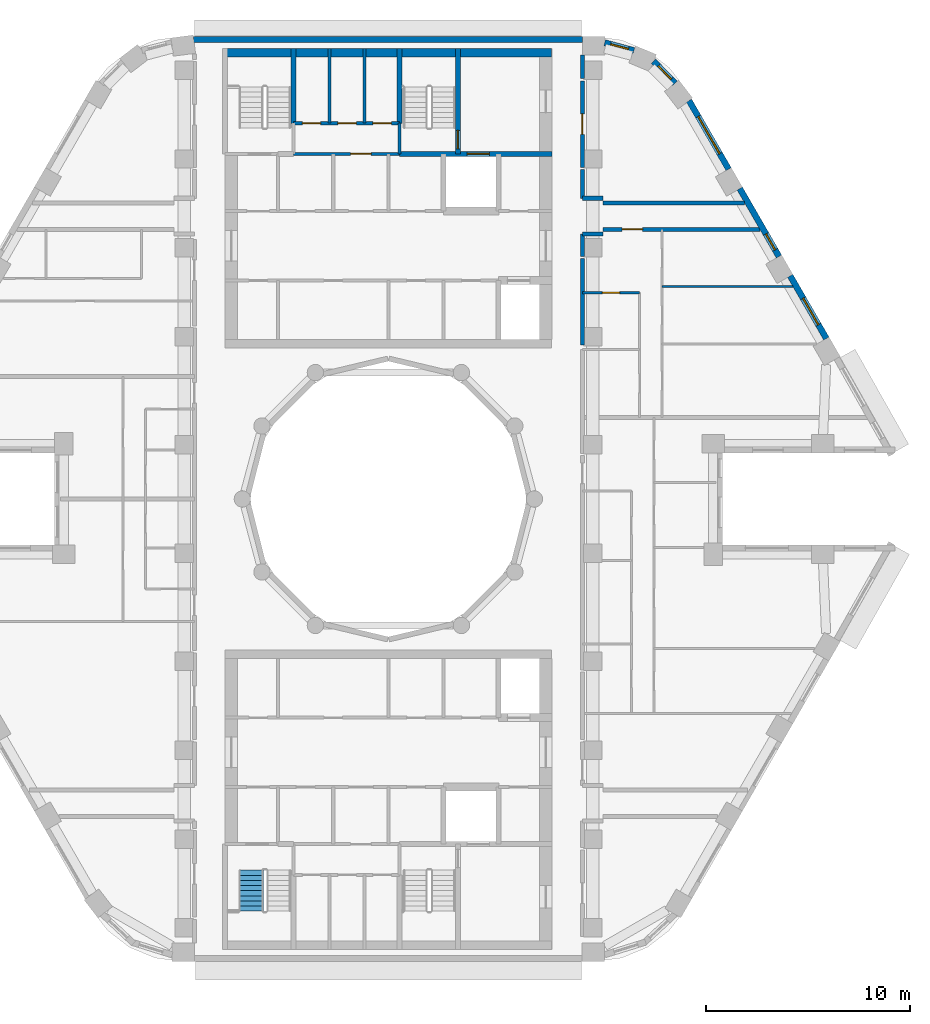
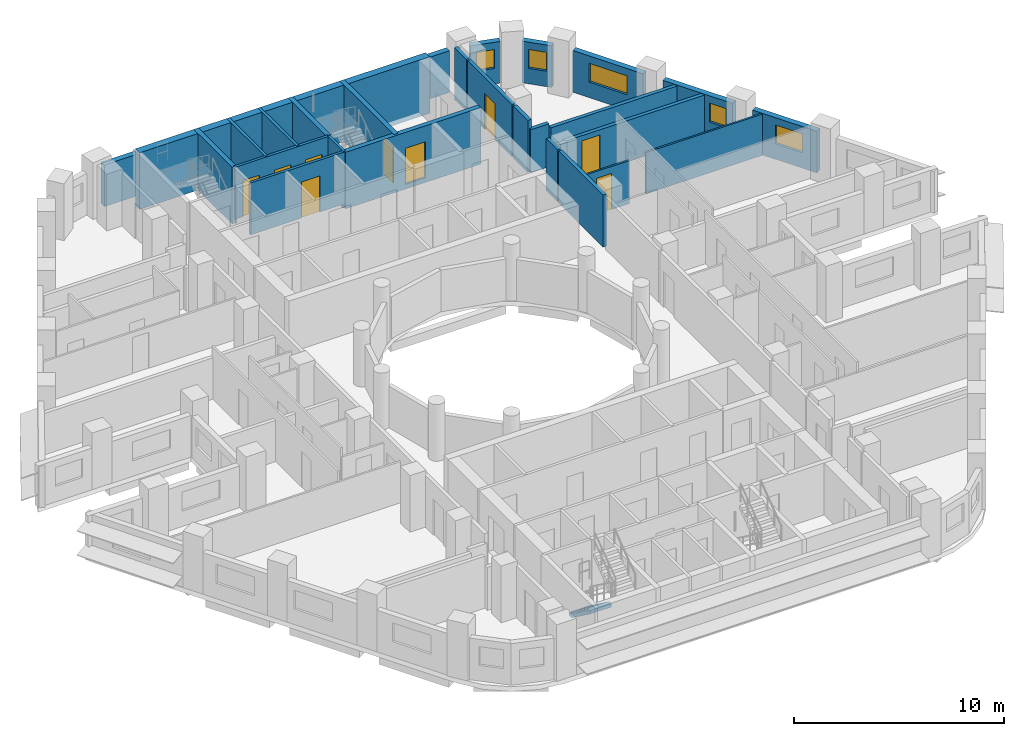
# One storey, part 8 of 12: 27 walls, 9 doors, 5 windows, 1 stair flight, 14 openings, 1 element without a shape of its own.
"""IFC4 building model written with IfcOpenShell, lengths in metres."""

from ifc_helpers import new_model, si_unit, direction, frame, frame_2d, origin, place, context, subcontext, project, spatial, polyline, rectangle, outline, extrude, material, layer, layer_set, type_object, element, fill, aggregate, save


model = new_model("IFC4")

# Units and contexts
model_context = context("Model", 3, precision=1e-05, world=origin(), true_north=direction((0.0, 1.0)))
body_context = subcontext(model_context, "Body", "Model", "MODEL_VIEW")
ifc_project = project(units=[si_unit("LENGTHUNIT", "METRE"), si_unit("AREAUNIT", "SQUARE_METRE"), si_unit("VOLUMEUNIT", "CUBIC_METRE"), si_unit("PLANEANGLEUNIT", "RADIAN"), si_unit("MASSUNIT", "GRAM", prefix="KILO")], contexts=[model_context])

# Site, building, storey
site_placement = place(None, origin())
site = spatial("IfcSite", under=ifc_project, at=site_placement, CompositionType="ELEMENT")
building_placement = place(site_placement, origin())
building = spatial("IfcBuilding", under=site, at=building_placement, Name="Nakaniwa Court", CompositionType="ELEMENT")
storey_placement = place(building_placement, frame((0.0, 0.0, 255.89990234375)))
storey = spatial("IfcBuildingStorey", under=building, at=storey_placement, Name="L67", CompositionType="ELEMENT", Elevation=255.89990234375)

# Walls
ifc_material_1 = material(Name="Acoustic double stud partition")
ifc_layer_1 = layer(ifc_material_1, 0.199951171875)
ifc_layer_set_1 = layer_set([ifc_layer_1], Name="Acoustic double stud partition")
wall_type_1 = type_object("IfcWallType", Name="Acoustic double stud partition 200", PredefinedType="PARTITIONING", material=ifc_layer_set_1)
wall_1_placement = place(storey_placement, frame((89.5, 87.537109375, 0.0), z_axis=(0.0, 0.0, 1.0), x_axis=(0.0, 1.0, 0.0)))
element("IfcWall", 1, at=wall_1_placement, inside=storey, type_object=wall_type_1, Name="Partition PW-065", PredefinedType="PARTITIONING", context=body_context, shape_type="SweptSolid", body=[
    extrude(rectangle(XDim=4.23583984375, YDim=0.199951171875, at=frame_2d((2.117919921875, 0.0))), origin(), (0.0, 0.0, 1.0), 3.025146484375),
])
wall_2_placement = place(storey_placement, frame((89.5, 91.886962890625, 0.0), z_axis=(0.0, 0.0, 1.0), x_axis=(0.0, 1.0, 0.0)))
element("IfcWall", 2, at=wall_2_placement, inside=storey, type_object=wall_type_1, Name="Partition PW-066", PredefinedType="PARTITIONING", context=body_context, shape_type="SweptSolid", body=[
    extrude(rectangle(XDim=1.091064453125, YDim=0.199951171875, at=frame_2d((0.54541015625, 0.0))), origin(), (0.0, 0.0, 1.0), 3.025146484375),
])
wall_3_placement = place(storey_placement, frame((89.5, 94.721923828125, 0.0), z_axis=(0.0, 0.0, 1.0), x_axis=(0.0, 1.0, 0.0)))
element("IfcWall", 3, at=wall_3_placement, inside=storey, type_object=wall_type_1, Name="Partition PW-067", PredefinedType="PARTITIONING", context=body_context, shape_type="SweptSolid", body=[
    extrude(rectangle(XDim=1.401123046875, YDim=0.199951171875, at=frame_2d((0.70068359375, 0.0))), origin(), (0.0, 0.0, 1.0), 3.025146484375),
])

# Wall, opening, door
wall_4_placement = place(storey_placement, frame((89.5, 100.472900390625, 0.0), z_axis=(0.0, 0.0, 1.0), x_axis=(0.0, -1.0, 0.0)))
wall_4 = element("IfcWall", 4, at=wall_4_placement, inside=storey, type_object=wall_type_1, Name="Partition PW-068", PredefinedType="PARTITIONING", context=body_context, shape_type="SweptSolid", body=[
    extrude(rectangle(XDim=4.23583984375, YDim=0.199951171875, at=frame_2d((2.117919921875, 0.0))), origin(), (0.0, 0.0, 1.0), 3.025146484375),
])
opening_1_placement = place(wall_4_placement, frame((1.617919921875, 0.0, 0.0)))
opening_1 = element("IfcOpeningElement", 5, at=opening_1_placement, cuts=wall_4, Name="Opening D-02-04", PredefinedType="OPENING", context=body_context, shape_type="SweptSolid", body=[
    extrude(rectangle(XDim=1.0, YDim=2.10009765625, at=frame_2d((0.5, 1.050048828125))), frame((0.0, 0.10986328125, 0.0), z_axis=(0.0, -1.0, 0.0), x_axis=(1.0, 0.0, 0.0)), (0.0, 0.0, 1.0), 0.219970703125),
])
ifc_material_2 = material(Name="Solid core timber door set, black veneer", Category="wood")
door_type_1 = type_object("IfcDoorType", Name="Internal door 1000", OperationType="NOTDEFINED", PredefinedType="DOOR", material=ifc_material_2)
door_1_placement = place(opening_1_placement, origin())
door_1 = element("IfcDoor", 6, at=door_1_placement, inside=storey, type_object=door_type_1, Name="Door D-02-04 L67-060", OperationType="SINGLE_SWING_LEFT", OverallHeight=2.10009765625, OverallWidth=1.0, PredefinedType="DOOR", context=body_context, shape_type="SweptSolid", body=[
    extrude(rectangle(XDim=1.0, YDim=2.10009765625, at=frame_2d((0.5, 1.050048828125))), frame((0.0, 0.02490234375, 0.0), z_axis=(0.0, -1.0, 0.0), x_axis=(1.0, 0.0, 0.0)), (0.0, 0.0, 1.0), 0.050048828125),
])
fill(opening_1, door_1)

# Wall
wall_5_placement = place(storey_placement, frame((89.5, 100.5869140625, 0.0), z_axis=(0.0, 0.0, 1.0), x_axis=(0.0, 1.0, 0.0)))
element("IfcWall", 7, at=wall_5_placement, inside=storey, type_object=wall_type_1, Name="Partition PW-069", PredefinedType="PARTITIONING", context=body_context, shape_type="SweptSolid", body=[
    extrude(rectangle(XDim=1.14599609375, YDim=0.199951171875, at=frame_2d((0.572998046875, 0.0))), origin(), (0.0, 0.0, 1.0), 3.025146484375),
])

# Wall, opening, door
wall_6_placement = place(storey_placement, frame((98.1865234375, 93.199951171875, 0.0), z_axis=(0.0, 0.0, 1.0), x_axis=(-1.0, 0.0, 0.0)))
wall_6 = element("IfcWall", 8, at=wall_6_placement, inside=storey, type_object=wall_type_1, Name="Partition PW-071", PredefinedType="PARTITIONING", context=body_context, shape_type="SweptSolid", body=[
    extrude(rectangle(XDim=7.6865234375, YDim=0.199951171875, at=frame_2d((3.84326171875, 0.0))), origin(), (0.0, 0.0, 1.0), 2.405029296875),
])
opening_2_placement = place(wall_6_placement, frame((5.737060546875, 0.0, 0.0)))
opening_2 = element("IfcOpeningElement", 9, at=opening_2_placement, cuts=wall_6, Name="Opening D-01-02", PredefinedType="OPENING", context=body_context, shape_type="SweptSolid", body=[
    extrude(rectangle(XDim=1.0, YDim=2.10009765625, at=frame_2d((0.5, 1.050048828125))), frame((0.0, 0.10986328125, 0.0), z_axis=(0.0, -1.0, 0.0), x_axis=(1.0, 0.0, 0.0)), (0.0, 0.0, 1.0), 0.219970703125),
])
door_type_2 = type_object("IfcDoorType", Name="Flat entrance door 1000", OperationType="NOTDEFINED", PredefinedType="DOOR", material=ifc_material_2)
door_2_placement = place(opening_2_placement, origin())
door_2 = element("IfcDoor", 10, at=door_2_placement, inside=storey, type_object=door_type_2, Name="Door D-01-02 L67-040", OperationType="SINGLE_SWING_LEFT", OverallHeight=2.10009765625, OverallWidth=1.0, PredefinedType="DOOR", context=body_context, shape_type="SweptSolid", body=[
    extrude(rectangle(XDim=1.0, YDim=2.10009765625, at=frame_2d((0.5, 1.050048828125))), frame((0.0, 0.02490234375, 0.0), z_axis=(0.0, -1.0, 0.0), x_axis=(1.0, 0.0, 0.0)), (0.0, 0.0, 1.0), 0.050048828125),
])
fill(opening_2, door_2)

# Walls
for number, where, z_axis, x_axis, name in (
    (11, (89.5, 92.97509765625, 0.0), (0.0, 0.0, 1.0), (1.0, 0.0, 0.0), "Partition PW-073"),
    (12, (89.5, 94.72509765625, 0.0), (0.0, 0.0, 1.0), (1.0, 0.0, 0.0), "Partition PW-075"),
):
    element("IfcWall", number, at=place(storey_placement, frame(where, z_axis=z_axis, x_axis=x_axis)), inside=storey, type_object=wall_type_1, Name=name, PredefinedType="PARTITIONING", context=body_context, shape_type="SweptSolid", body=[
        extrude(rectangle(XDim=1.0, YDim=0.199951171875, at=frame_2d((0.5, 0.0))), origin(), (0.0, 0.0, 1.0), 2.505126953125),
    ])
wall_7_placement = place(storey_placement, frame((90.5, 94.5, 0.0), z_axis=(0.0, 0.0, 1.0), x_axis=(1.0, 0.0, 0.0)))
element("IfcWall", 13, at=wall_7_placement, inside=storey, type_object=wall_type_1, Name="Partition PW-077", PredefinedType="PARTITIONING", context=body_context, shape_type="SweptSolid", body=[
    extrude(rectangle(XDim=6.93603515625, YDim=0.199951171875, at=frame_2d((3.468017578125, 0.0))), origin(), (0.0, 0.0, 1.0), 2.405029296875),
])

# Wall, opening, window
ifc_material_3 = material(Name="Charcoal ceramic cladding")
ifc_layer_2 = layer(ifc_material_3, 0.02, Name="Ceramic cladding")
ifc_material_4 = material(Name="Ventilated air cavity")
ifc_layer_3 = layer(ifc_material_4, 0.04, ventilated=True, Name="Ventilated cavity")
ifc_material_5 = material(Name="Mineral wool insulation")
ifc_layer_4 = layer(ifc_material_5, 0.1, Name="Insulation")
ifc_material_6 = material(Name="Cement bonded sheathing board")
ifc_layer_5 = layer(ifc_material_6, 0.012, Name="Sheathing")
ifc_material_7 = material(Name="Cold-formed galvanised stud frame with mineral wool infill")
ifc_layer_6 = layer(ifc_material_7, 0.1, Name="Stud frame")
ifc_material_8 = material(Name="Fire-rated gypsum plasterboard lining")
ifc_layer_7 = layer(ifc_material_8, 0.028, Name="Lining")
ifc_layer_set_2 = layer_set([ifc_layer_2, ifc_layer_3, ifc_layer_4, ifc_layer_5, ifc_layer_6, ifc_layer_7], Name="Charcoal ceramic faced external wall system")
wall_type_2 = type_object("IfcWallType", Name="Black ceramic faced external wall 300", PredefinedType="SOLIDWALL", material=ifc_layer_set_2)
wall_8_placement = place(storey_placement, frame((101.44580078125, 87.85498046875, 0.0), z_axis=(0.0, 0.0, 1.0), x_axis=(-0.500010404316, 0.866019396766, 0.0)))
wall_8 = element("IfcWall", 14, at=wall_8_placement, inside=storey, type_object=wall_type_2, Name="L67 external wall 03", PredefinedType="SOLIDWALL", context=body_context, shape_type="SweptSolid", body=[
    extrude(rectangle(XDim=3.54736328125, YDim=0.300048828125, at=frame_2d((1.773681640625, 0.0))), origin(), (0.0, 0.0, 1.0), 2.425048828125),
])
opening_3_placement = place(wall_8_placement, frame((0.780517578125, 0.0, 0.89990234375)))
opening_3 = element("IfcOpeningElement", 15, at=opening_3_placement, cuts=wall_8, Name="Opening W5.05", PredefinedType="OPENING", context=body_context, shape_type="SweptSolid", body=[
    extrude(rectangle(XDim=1.5, YDim=1.10009765625, at=frame_2d((0.75, 0.550048828125))), frame((0.0, 0.159912109375, 0.0), z_axis=(0.0, -1.0, 0.0), x_axis=(1.0, 0.0, 0.0)), (0.0, 0.0, 1.0), 0.320068359375),
])
ifc_material_9 = material(Name="Black anodised aluminium frame with dark low-E laminated double glazing", Category="aluminium")
window_type_1 = type_object("IfcWindowType", Name="Dark glass window 1500x1100 sill 900", PartitioningType="SINGLE_PANEL", PredefinedType="WINDOW", material=ifc_material_9)
window_1_placement = place(opening_3_placement, origin())
window_1 = element("IfcWindow", 16, at=window_1_placement, inside=storey, type_object=window_type_1, Name="L67 bedroom window 03-0", OverallHeight=1.10009765625, OverallWidth=1.5, PartitioningType="SINGLE_PANEL", PredefinedType="WINDOW", context=body_context, shape_type="SweptSolid", body=[
    extrude(rectangle(XDim=1.5, YDim=1.10009765625, at=frame_2d((0.75, 0.550048828125))), frame((0.0, 0.030029296875, 0.0), z_axis=(0.0, -1.0, 0.0), x_axis=(1.0, 0.0, 0.0)), (0.0, 0.0, 1.0), 0.06005859375),
])
fill(opening_3, window_1)

wall_9_placement = place(storey_placement, frame((99.126220703125, 91.87255859375, 0.0), z_axis=(0.0, 0.0, 1.0), x_axis=(-0.499984490703, 0.866034357896, 0.0)))
wall_9 = element("IfcWall", 17, at=wall_9_placement, inside=storey, type_object=wall_type_2, Name="L67 external wall 04", PredefinedType="SOLIDWALL", context=body_context, shape_type="SweptSolid", body=[
    extrude(rectangle(XDim=3.84423828125, YDim=0.300048828125, at=frame_2d((1.922119140625, 0.0))), origin(), (0.0, 0.0, 1.0), 2.425048828125),
])
opening_4_placement = place(wall_9_placement, frame((0.37744140625, 0.0, 0.89990234375)))
opening_4 = element("IfcOpeningElement", 18, at=opening_4_placement, cuts=wall_9, Name="Opening W9.06", PredefinedType="OPENING", context=body_context, shape_type="SweptSolid", body=[
    extrude(rectangle(XDim=0.89990234375, YDim=1.10009765625, at=frame_2d((0.449951171875, 0.550048828125))), frame((0.0, 0.159912109375, 0.0), z_axis=(0.0, -1.0, 0.0), x_axis=(1.0, 0.0, 0.0)), (0.0, 0.0, 1.0), 0.320068359375),
])
window_type_2 = type_object("IfcWindowType", Name="Dark glass window 900x1100 sill 900", PartitioningType="SINGLE_PANEL", PredefinedType="WINDOW", material=ifc_material_9)
window_2_placement = place(opening_4_placement, origin())
window_2 = element("IfcWindow", 19, at=window_2_placement, inside=storey, type_object=window_type_2, Name="L67 bedroom window 04-0", OverallHeight=1.10009765625, OverallWidth=0.89990234375, PartitioningType="SINGLE_PANEL", PredefinedType="WINDOW", context=body_context, shape_type="SweptSolid", body=[
    extrude(rectangle(XDim=0.89990234375, YDim=1.10009765625, at=frame_2d((0.449951171875, 0.550048828125))), frame((0.0, 0.030029296875, 0.0), z_axis=(0.0, -1.0, 0.0), x_axis=(1.0, 0.0, 0.0)), (0.0, 0.0, 1.0), 0.06005859375),
])
fill(opening_4, window_2)

wall_10_placement = place(storey_placement, frame((96.657958984375, 96.1474609375, 0.0), z_axis=(0.0, 0.0, 1.0), x_axis=(-0.500011218404, 0.866018926739, 0.0)))
wall_10 = element("IfcWall", 20, at=wall_10_placement, inside=storey, type_object=wall_type_2, Name="L67 external wall 05", PredefinedType="SOLIDWALL", context=body_context, shape_type="SweptSolid", body=[
    extrude(rectangle(XDim=3.87890625, YDim=0.300048828125, at=frame_2d((1.939453125, 0.0))), origin(), (0.0, 0.0, 1.0), 2.425048828125),
])
opening_5_placement = place(wall_10_placement, frame((0.878173828125, 0.0, 0.89990234375)))
opening_5 = element("IfcOpeningElement", 21, at=opening_5_placement, cuts=wall_10, Name="Opening W7.07", PredefinedType="OPENING", context=body_context, shape_type="SweptSolid", body=[
    extrude(rectangle(XDim=2.10009765625, YDim=1.10009765625, at=frame_2d((1.050048828125, 0.550048828125))), frame((0.0, 0.159912109375, 0.0), z_axis=(0.0, -1.0, 0.0), x_axis=(1.0, 0.0, 0.0)), (0.0, 0.0, 1.0), 0.320068359375),
])
window_type_3 = type_object("IfcWindowType", Name="Dark glass window 2100x1100 sill 900", PartitioningType="SINGLE_PANEL", PredefinedType="WINDOW", material=ifc_material_9)
window_3_placement = place(opening_5_placement, origin())
window_3 = element("IfcWindow", 22, at=window_3_placement, inside=storey, type_object=window_type_3, Name="L67 habitable room window 05-0", OverallHeight=1.10009765625, OverallWidth=2.10009765625, PartitioningType="SINGLE_PANEL", PredefinedType="WINDOW", context=body_context, shape_type="SweptSolid", body=[
    extrude(rectangle(XDim=2.10009765625, YDim=1.10009765625, at=frame_2d((1.050048828125, 0.550048828125))), frame((0.0, 0.030029296875, 0.0), z_axis=(0.0, -1.0, 0.0), x_axis=(1.0, 0.0, 0.0)), (0.0, 0.0, 1.0), 0.06005859375),
])
fill(opening_5, window_3)

wall_11_placement = place(storey_placement, frame((94.0341796875, 100.3583984375, 0.0), z_axis=(0.0, 0.0, 1.0), x_axis=(-0.698675602211, 0.71543860874, 0.0)))
wall_11 = element("IfcWall", 23, at=wall_11_placement, inside=storey, type_object=wall_type_2, Name="L67 external wall 06", PredefinedType="SOLIDWALL", context=body_context, shape_type="SweptSolid", body=[
    extrude(rectangle(XDim=1.5, YDim=0.300048828125, at=frame_2d((0.75, 0.0))), origin(), (0.0, 0.0, 1.0), 2.425048828125),
])
opening_6_placement = place(wall_11_placement, frame((0.27587890625, 0.0, 0.89990234375)))
opening_6 = element("IfcOpeningElement", 24, at=opening_6_placement, cuts=wall_11, Name="Opening W9.08", PredefinedType="OPENING", context=body_context, shape_type="SweptSolid", body=[
    extrude(rectangle(XDim=0.89990234375, YDim=1.10009765625, at=frame_2d((0.449951171875, 0.550048828125))), frame((0.0, 0.159912109375, 0.0), z_axis=(0.0, -1.0, 0.0), x_axis=(1.0, 0.0, 0.0)), (0.0, 0.0, 1.0), 0.320068359375),
])
window_4_placement = place(opening_6_placement, origin())
window_4 = element("IfcWindow", 25, at=window_4_placement, inside=storey, type_object=window_type_2, Name="L67 habitable room window 06-0", OverallHeight=1.10009765625, OverallWidth=0.89990234375, PartitioningType="SINGLE_PANEL", PredefinedType="WINDOW", context=body_context, shape_type="SweptSolid", body=[
    extrude(rectangle(XDim=0.89990234375, YDim=1.10009765625, at=frame_2d((0.449951171875, 0.550048828125))), frame((0.0, 0.030029296875, 0.0), z_axis=(0.0, -1.0, 0.0), x_axis=(1.0, 0.0, 0.0)), (0.0, 0.0, 1.0), 0.06005859375),
])
fill(opening_6, window_4)

wall_12_placement = place(storey_placement, frame((92.02099609375, 101.956298828125, 0.0), z_axis=(0.0, 0.0, 1.0), x_axis=(-0.965392564919, 0.260801065181, 0.0)))
wall_12 = element("IfcWall", 26, at=wall_12_placement, inside=storey, type_object=wall_type_2, Name="L67 external wall 07", PredefinedType="SOLIDWALL", context=body_context, shape_type="SweptSolid", body=[
    extrude(rectangle(XDim=1.48095703125, YDim=0.300048828125, at=frame_2d((0.740478515625, 0.0))), origin(), (0.0, 0.0, 1.0), 2.425048828125),
])
opening_7_placement = place(wall_12_placement, frame((0.280029296875, 0.0, 0.89990234375)))
opening_7 = element("IfcOpeningElement", 27, at=opening_7_placement, cuts=wall_12, Name="Opening W9.09", PredefinedType="OPENING", context=body_context, shape_type="SweptSolid", body=[
    extrude(rectangle(XDim=0.89990234375, YDim=1.10009765625, at=frame_2d((0.449951171875, 0.550048828125))), frame((0.0, 0.159912109375, 0.0), z_axis=(0.0, -1.0, 0.0), x_axis=(1.0, 0.0, 0.0)), (0.0, 0.0, 1.0), 0.320068359375),
])
window_5_placement = place(opening_7_placement, origin())
window_5 = element("IfcWindow", 28, at=window_5_placement, inside=storey, type_object=window_type_2, Name="L67 habitable room window 07-0", OverallHeight=1.10009765625, OverallWidth=0.89990234375, PartitioningType="SINGLE_PANEL", PredefinedType="WINDOW", context=body_context, shape_type="SweptSolid", body=[
    extrude(rectangle(XDim=0.89990234375, YDim=1.10009765625, at=frame_2d((0.449951171875, 0.550048828125))), frame((0.0, 0.030029296875, 0.0), z_axis=(0.0, -1.0, 0.0), x_axis=(1.0, 0.0, 0.0)), (0.0, 0.0, 1.0), 0.06005859375),
])
fill(opening_7, window_5)

# Wall
wall_13_placement = place(storey_placement, frame((89.499267578125, 102.5, 0.0), z_axis=(0.0, 0.0, 1.0), x_axis=(-1.0, 0.0, 0.0)))
element("IfcWall", 29, at=wall_13_placement, inside=storey, type_object=wall_type_2, Name="L67 external wall 08", PredefinedType="SOLIDWALL", context=body_context, shape_type="SweptSolid", body=[
    extrude(rectangle(XDim=19.033447265625, YDim=0.300048828125, at=frame_2d((9.5166015625, 0.0))), origin(), (0.0, 0.0, 1.0), 2.425048828125),
])

# Wall, opening, door
ifc_material_10 = material(Name="Blockwork partition", Category="masonry")
ifc_layer_8 = layer(ifc_material_10, 0.14990234375)
ifc_layer_set_3 = layer_set([ifc_layer_8], Name="Blockwork partition")
wall_type_3 = type_object("IfcWallType", Name="Blockwork partition 150", PredefinedType="PARTITIONING", material=ifc_layer_set_3)
wall_14_placement = place(storey_placement, frame((75.346923828125, 96.89990234375, 0.0), z_axis=(0.0, 0.0, 1.0), x_axis=(1.0, 0.0, 0.0)))
wall_14 = element("IfcWall", 30, at=wall_14_placement, inside=storey, type_object=wall_type_3, Name="Partition PW-019", PredefinedType="PARTITIONING", context=body_context, shape_type="SweptSolid", body=[
    extrude(rectangle(XDim=5.2060546875, YDim=0.14990234375, at=frame_2d((2.60302734375, 0.0))), origin(), (0.0, 0.0, 1.0), 3.025146484375),
])
opening_8_placement = place(wall_14_placement, frame((2.802978515625, 0.0, 0.0)))
opening_8 = element("IfcOpeningElement", 31, at=opening_8_placement, cuts=wall_14, Name="Opening D-23-01", PredefinedType="OPENING", context=body_context, shape_type="SweptSolid", body=[
    extrude(rectangle(XDim=1.0, YDim=2.10009765625, at=frame_2d((0.5, 1.050048828125))), frame((0.0, 0.0849609375, 0.0), z_axis=(0.0, -1.0, 0.0), x_axis=(1.0, 0.0, 0.0)), (0.0, 0.0, 1.0), 0.169921875),
])
ifc_material_11 = material(Name="Fire rated steel door set", Category="steel")
door_type_3 = type_object("IfcDoorType", Name="Service room door 1000", OperationType="NOTDEFINED", PredefinedType="DOOR", material=ifc_material_11)
door_3_placement = place(opening_8_placement, origin())
door_3 = element("IfcDoor", 32, at=door_3_placement, inside=storey, type_object=door_type_3, Name="Door D-23-01 L67-010", OperationType="SINGLE_SWING_LEFT", OverallHeight=2.10009765625, OverallWidth=1.0, PredefinedType="DOOR", context=body_context, shape_type="SweptSolid", body=[
    extrude(rectangle(XDim=1.0, YDim=2.10009765625, at=frame_2d((0.5, 1.050048828125))), frame((0.0, 0.02490234375, 0.0), z_axis=(0.0, -1.0, 0.0), x_axis=(1.0, 0.0, 0.0)), (0.0, 0.0, 1.0), 0.050048828125),
])
fill(opening_8, door_3)

# Wall, openings, doors
wall_15_placement = place(storey_placement, frame((75.35009765625, 98.39990234375, 0.0), z_axis=(0.0, 0.0, 1.0), x_axis=(1.0, 0.0, 0.0)))
wall_15 = element("IfcWall", 33, at=wall_15_placement, inside=storey, type_object=wall_type_3, Name="Partition PW-027", PredefinedType="PARTITIONING", context=body_context, shape_type="SweptSolid", body=[
    extrude(rectangle(XDim=5.199951171875, YDim=0.14990234375, at=frame_2d((2.60009765625, 0.0))), origin(), (0.0, 0.0, 1.0), 3.025146484375),
])
opening_9_placement = place(wall_15_placement, frame((0.43408203125, 0.0, 0.0)))
opening_9 = element("IfcOpeningElement", 34, at=opening_9_placement, cuts=wall_15, Name="Opening D-05-08", PredefinedType="OPENING", context=body_context, shape_type="SweptSolid", body=[
    extrude(rectangle(XDim=0.89990234375, YDim=2.10009765625, at=frame_2d((0.449951171875, 1.050048828125))), frame((0.0, 0.0849609375, 0.0), z_axis=(0.0, -1.0, 0.0), x_axis=(1.0, 0.0, 0.0)), (0.0, 0.0, 1.0), 0.169921875),
])
opening_10_placement = place(wall_15_placement, frame((2.176025390625, 0.0, 0.0)))
opening_10 = element("IfcOpeningElement", 35, at=opening_10_placement, cuts=wall_15, Name="Opening D-05-09", PredefinedType="OPENING", context=body_context, shape_type="SweptSolid", body=[
    extrude(rectangle(XDim=0.89990234375, YDim=2.10009765625, at=frame_2d((0.449951171875, 1.050048828125))), frame((0.0, 0.0849609375, 0.0), z_axis=(0.0, -1.0, 0.0), x_axis=(1.0, 0.0, 0.0)), (0.0, 0.0, 1.0), 0.169921875),
])
opening_11_placement = place(wall_15_placement, frame((3.89208984375, 0.0, 0.0)))
opening_11 = element("IfcOpeningElement", 36, at=opening_11_placement, cuts=wall_15, Name="Opening D-05-10", PredefinedType="OPENING", context=body_context, shape_type="SweptSolid", body=[
    extrude(rectangle(XDim=0.89990234375, YDim=2.10009765625, at=frame_2d((0.449951171875, 1.050048828125))), frame((0.0, 0.0849609375, 0.0), z_axis=(0.0, -1.0, 0.0), x_axis=(1.0, 0.0, 0.0)), (0.0, 0.0, 1.0), 0.169921875),
])
door_type_4 = type_object("IfcDoorType", Name="Service room door 900", OperationType="NOTDEFINED", PredefinedType="DOOR", material=ifc_material_11)
door_4_placement = place(opening_9_placement, origin())
door_4 = element("IfcDoor", 37, at=door_4_placement, inside=storey, type_object=door_type_4, Name="Door D-05-08 L67-011", OperationType="SINGLE_SWING_RIGHT", OverallHeight=2.10009765625, OverallWidth=0.89990234375, PredefinedType="DOOR", context=body_context, shape_type="SweptSolid", body=[
    extrude(rectangle(XDim=0.89990234375, YDim=2.10009765625, at=frame_2d((0.449951171875, 1.050048828125))), frame((0.0, 0.02490234375, 0.0), z_axis=(0.0, -1.0, 0.0), x_axis=(1.0, 0.0, 0.0)), (0.0, 0.0, 1.0), 0.050048828125),
])
fill(opening_9, door_4)
door_5_placement = place(opening_10_placement, origin())
door_5 = element("IfcDoor", 38, at=door_5_placement, inside=storey, type_object=door_type_4, Name="Door D-05-09 L67-012", OperationType="SINGLE_SWING_LEFT", OverallHeight=2.10009765625, OverallWidth=0.89990234375, PredefinedType="DOOR", context=body_context, shape_type="SweptSolid", body=[
    extrude(rectangle(XDim=0.89990234375, YDim=2.10009765625, at=frame_2d((0.449951171875, 1.050048828125))), frame((0.0, 0.02490234375, 0.0), z_axis=(0.0, -1.0, 0.0), x_axis=(1.0, 0.0, 0.0)), (0.0, 0.0, 1.0), 0.050048828125),
])
fill(opening_10, door_5)
door_6_placement = place(opening_11_placement, origin())
door_6 = element("IfcDoor", 39, at=door_6_placement, inside=storey, type_object=door_type_4, Name="Door D-05-10 L67-013", OperationType="SINGLE_SWING_RIGHT", OverallHeight=2.10009765625, OverallWidth=0.89990234375, PredefinedType="DOOR", context=body_context, shape_type="SweptSolid", body=[
    extrude(rectangle(XDim=0.89990234375, YDim=2.10009765625, at=frame_2d((0.449951171875, 1.050048828125))), frame((0.0, 0.02490234375, 0.0), z_axis=(0.0, -1.0, 0.0), x_axis=(1.0, 0.0, 0.0)), (0.0, 0.0, 1.0), 0.050048828125),
])
fill(opening_11, door_6)

# Walls
for number, where, z_axis, x_axis, name in (
    (40, (77.117919921875, 98.39990234375, 0.0), (0.0, 0.0, 1.0), (0.0, 1.0, 0.0), "Partition PW-028"),
    (41, (78.833984375, 98.39990234375, 0.0), (0.0, 0.0, 1.0), (0.0, 1.0, 0.0), "Partition PW-029"),
):
    element("IfcWall", number, at=place(storey_placement, frame(where, z_axis=z_axis, x_axis=x_axis)), inside=storey, type_object=wall_type_3, Name=name, PredefinedType="PARTITIONING", context=body_context, shape_type="SweptSolid", body=[
        extrude(rectangle(XDim=3.650146484375, YDim=0.14990234375, at=frame_2d((1.8251953125, 0.0))), origin(), (0.0, 0.0, 1.0), 3.025146484375),
    ])
ifc_material_12 = material(Name="Concrete C80/100", Category="concrete")
ifc_layer_9 = layer(ifc_material_12, 0.14990234375)
ifc_layer_set_4 = layer_set([ifc_layer_9], Name="Concrete C80/100")
wall_type_4 = type_object("IfcWallType", Name="Concrete core wall 150 C80", PredefinedType="SHEAR", material=ifc_layer_set_4)
wall_16_placement = place(storey_placement, frame((80.550048828125, 96.89990234375, -0.27490234375), z_axis=(0.0, 0.0, 1.0), x_axis=(0.0, 1.0, 0.0)))
element("IfcWall", 42, at=wall_16_placement, inside=storey, type_object=wall_type_4, Name="Core wall SW-25", PredefinedType="SHEAR", context=body_context, shape_type="SweptSolid", body=[
    extrude(rectangle(XDim=1.503173828125, YDim=0.14990234375, at=frame_2d((0.75146484375, 0.0))), origin(), (0.0, 0.0, 1.0), 3.300048828125),
])
ifc_layer_10 = layer(ifc_material_12, 0.39990234375)
ifc_layer_set_5 = layer_set([ifc_layer_10], Name="Concrete C80/100")
wall_type_5 = type_object("IfcWallType", Name="Concrete core wall 400 C80", PredefinedType="SHEAR", material=ifc_layer_set_5)
wall_17_placement = place(storey_placement, frame((72.00390625, 101.85009765625, -0.27490234375), z_axis=(0.0, 0.0, 1.0), x_axis=(1.0, 0.0, 0.0)))
element("IfcWall", 43, at=wall_17_placement, inside=storey, type_object=wall_type_5, Name="Core wall SW-126", PredefinedType="SHEAR", context=body_context, shape_type="SweptSolid", body=[
    extrude(rectangle(XDim=15.9921875, YDim=0.39990234375, at=frame_2d((7.99609375, 0.0))), origin(), (0.0, 0.0, 1.0), 3.300048828125),
])

# Wall, opening, door
ifc_layer_11 = layer(ifc_material_12, 0.25)
ifc_layer_set_6 = layer_set([ifc_layer_11], Name="Concrete C80/100")
wall_type_6 = type_object("IfcWallType", Name="Concrete shaft wall 250 C80", PredefinedType="SHEAR", material=ifc_layer_set_6)
wall_18_placement = place(storey_placement, frame((80.547119140625, 96.89990234375, -0.27490234375), z_axis=(0.0, 0.0, 1.0), x_axis=(1.0, 0.0, 0.0)))
wall_18 = element("IfcWall", 44, at=wall_18_placement, inside=storey, type_object=wall_type_6, Name="Core wall SW-18", PredefinedType="SHEAR", context=body_context, shape_type="SweptSolid", body=[
    extrude(rectangle(XDim=7.452880859375, YDim=0.25, at=frame_2d((3.7265625, 0.0))), origin(), (0.0, 0.0, 1.0), 3.300048828125),
])
opening_12_placement = place(wall_18_placement, frame((3.302001953125, 0.0, 0.27490234375)))
opening_12 = element("IfcOpeningElement", 45, at=opening_12_placement, cuts=wall_18, Name="Opening LD02", PredefinedType="OPENING", context=body_context, shape_type="SweptSolid", body=[
    extrude(rectangle(XDim=1.10009765625, YDim=2.10009765625, at=frame_2d((0.550048828125, 1.050048828125))), frame((0.0, 0.135009765625, 0.0), z_axis=(0.0, -1.0, 0.0), x_axis=(1.0, 0.0, 0.0)), (0.0, 0.0, 1.0), 0.27001953125),
])
ifc_material_13 = material(Name="Stainless steel sliding lift landing door", Category="steel")
door_type_5 = type_object("IfcDoorType", Name="Lift landing door 1100", OperationType="NOTDEFINED", PredefinedType="DOOR", material=ifc_material_13)
door_7_placement = place(opening_12_placement, origin())
door_7 = element("IfcDoor", 46, at=door_7_placement, inside=storey, type_object=door_type_5, Name="Lift landing door LD02 L67-002", OperationType="SLIDING_TO_LEFT", OverallHeight=2.10009765625, OverallWidth=1.10009765625, PredefinedType="DOOR", context=body_context, shape_type="SweptSolid", body=[
    extrude(rectangle(XDim=1.10009765625, YDim=2.10009765625, at=frame_2d((0.550048828125, 1.050048828125))), frame((0.0, 0.02490234375, 0.0), z_axis=(0.0, -1.0, 0.0), x_axis=(1.0, 0.0, 0.0)), (0.0, 0.0, 1.0), 0.050048828125),
])
fill(opening_12, door_7)

# Wall
wall_19_placement = place(storey_placement, frame((75.35009765625, 98.39697265625, -0.27490234375), z_axis=(0.0, 0.0, 1.0), x_axis=(0.0, 1.0, 0.0)))
element("IfcWall", 47, at=wall_19_placement, inside=storey, type_object=wall_type_6, Name="Core wall SW-22", PredefinedType="SHEAR", context=body_context, shape_type="SweptSolid", body=[
    extrude(rectangle(XDim=3.653076171875, YDim=0.25, at=frame_2d((1.82666015625, 0.0))), origin(), (0.0, 0.0, 1.0), 3.300048828125),
])

# Wall, opening, door
wall_20_placement = place(storey_placement, frame((83.39990234375, 102.050048828125, -0.27490234375), z_axis=(0.0, 0.0, 1.0), x_axis=(0.0, -1.0, 0.0)))
wall_20 = element("IfcWall", 48, at=wall_20_placement, inside=storey, type_object=wall_type_6, Name="Core wall SW-24", PredefinedType="SHEAR", context=body_context, shape_type="SweptSolid", body=[
    extrude(rectangle(XDim=5.150146484375, YDim=0.25, at=frame_2d((2.5751953125, 0.0))), origin(), (0.0, 0.0, 1.0), 3.300048828125),
])
opening_13_placement = place(wall_20_placement, frame((4.0, 0.0, 0.27490234375)))
opening_13 = element("IfcOpeningElement", 49, at=opening_13_placement, cuts=wall_20, Name="Opening D-11-01", PredefinedType="OPENING", context=body_context, shape_type="SweptSolid", body=[
    extrude(rectangle(XDim=0.89990234375, YDim=2.10009765625, at=frame_2d((0.449951171875, 1.050048828125))), frame((0.0, 0.135009765625, 0.0), z_axis=(0.0, -1.0, 0.0), x_axis=(1.0, 0.0, 0.0)), (0.0, 0.0, 1.0), 0.27001953125),
])
door_type_6 = type_object("IfcDoorType", Name="Stair door 900", OperationType="NOTDEFINED", PredefinedType="DOOR", material=ifc_material_11)
door_8_placement = place(opening_13_placement, origin())
door_8 = element("IfcDoor", 50, at=door_8_placement, inside=storey, type_object=door_type_6, Name="Door D-11-01 L67-015", OperationType="SINGLE_SWING_LEFT", OverallHeight=2.10009765625, OverallWidth=0.89990234375, PredefinedType="DOOR", context=body_context, shape_type="SweptSolid", body=[
    extrude(rectangle(XDim=0.89990234375, YDim=2.10009765625, at=frame_2d((0.449951171875, 1.050048828125))), frame((0.0, 0.02490234375, 0.0), z_axis=(0.0, -1.0, 0.0), x_axis=(1.0, 0.0, 0.0)), (0.0, 0.0, 1.0), 0.050048828125),
])
fill(opening_13, door_8)

# Wall
wall_21_placement = place(storey_placement, frame((80.550048828125, 98.39697265625, -0.27490234375), z_axis=(0.0, 0.0, 1.0), x_axis=(0.0, 1.0, 0.0)))
element("IfcWall", 51, at=wall_21_placement, inside=storey, type_object=wall_type_6, Name="Core wall SW-26", PredefinedType="SHEAR", context=body_context, shape_type="SweptSolid", body=[
    extrude(rectangle(XDim=3.653076171875, YDim=0.25, at=frame_2d((1.82666015625, 0.0))), origin(), (0.0, 0.0, 1.0), 3.300048828125),
])

# Wall, opening, door
ifc_material_14 = material(Name="Single stud plasterboard partition")
ifc_layer_12 = layer(ifc_material_14, 0.10009765625)
ifc_layer_set_7 = layer_set([ifc_layer_12], Name="Single stud plasterboard partition")
wall_type_7 = type_object("IfcWallType", Name="Single stud plasterboard partition 100", PredefinedType="PARTITIONING", material=ifc_layer_set_7)
wall_22_placement = place(storey_placement, frame((92.300048828125, 90.10009765625, 0.0), z_axis=(0.0, 0.0, 1.0), x_axis=(-1.0, 0.0, 0.0)))
wall_22 = element("IfcWall", 52, at=wall_22_placement, inside=storey, type_object=wall_type_7, Name="Partition PW-108", PredefinedType="PARTITIONING", context=body_context, shape_type="SweptSolid", body=[
    extrude(rectangle(XDim=2.800048828125, YDim=0.10009765625, at=frame_2d((1.39990234375, 0.0))), origin(), (0.0, 0.0, 1.0), 2.505126953125),
])
opening_14_placement = place(wall_22_placement, frame((0.97509765625, 0.0, 0.0)))
opening_14 = element("IfcOpeningElement", 53, at=opening_14_placement, cuts=wall_22, Name="Opening D-03-03", PredefinedType="OPENING", context=body_context, shape_type="SweptSolid", body=[
    extrude(rectangle(XDim=0.85009765625, YDim=2.10009765625, at=frame_2d((0.425048828125, 1.050048828125))), frame((0.0, 0.06005859375, 0.0), z_axis=(0.0, -1.0, 0.0), x_axis=(1.0, 0.0, 0.0)), (0.0, 0.0, 1.0), 0.1201171875),
])
ifc_material_15 = material(Name="Moisture sealed timber door set", Category="wood")
door_type_7 = type_object("IfcDoorType", Name="Bathroom door 850", OperationType="NOTDEFINED", PredefinedType="DOOR", material=ifc_material_15)
door_9_placement = place(opening_14_placement, origin())
door_9 = element("IfcDoor", 54, at=door_9_placement, inside=storey, type_object=door_type_7, Name="Door D-03-03 L67-042", OperationType="SINGLE_SWING_LEFT", OverallHeight=2.10009765625, OverallWidth=0.85009765625, PredefinedType="DOOR", context=body_context, shape_type="SweptSolid", body=[
    extrude(rectangle(XDim=0.85009765625, YDim=2.10009765625, at=frame_2d((0.425048828125, 1.050048828125))), frame((0.0, 0.02490234375, 0.0), z_axis=(0.0, -1.0, 0.0), x_axis=(1.0, 0.0, 0.0)), (0.0, 0.0, 1.0), 0.050048828125),
])
fill(opening_14, door_9)

# Wall
wall_23_placement = place(storey_placement, frame((93.39990234375, 90.39990234375, 0.0), z_axis=(0.0, 0.0, 1.0), x_axis=(1.0, 0.0, 0.0)))
element("IfcWall", 55, at=wall_23_placement, inside=storey, type_object=wall_type_7, Name="Partition PW-111", PredefinedType="PARTITIONING", context=body_context, shape_type="SweptSolid", body=[
    extrude(rectangle(XDim=6.4033203125, YDim=0.10009765625, at=frame_2d((3.20166015625, 0.0))), origin(), (0.0, 0.0, 1.0), 2.405029296875),
])

# Stair, stair flight
stair_type = type_object("IfcStairType", Name="Dog leg stair 1200 wide 18 risers", PredefinedType="HALF_TURN_STAIR", material=ifc_material_12)
stair_placement = place(storey_placement, origin())
stair = element("IfcStair", 56, at=stair_placement, inside=storey, type_object=stair_type, Name="L67 Stair ST3", PredefinedType="HALF_TURN_STAIR")
stair_flight_type = type_object("IfcStairFlightType", Name="Stair flight 1200 wide 9 risers", PredefinedType="STRAIGHT", material=ifc_material_12)
stair_flight_placement = place(storey_placement, frame((73.27490234375, 61.824951171875, 0.0), z_axis=(0.0, 0.0, 1.0), x_axis=(0.0, -1.0, 0.0)))
stair_flight = element("IfcStairFlight", 57, at=stair_flight_placement, type_object=stair_flight_type, Name="ST3 flight 1", NumberOfRisers=9, NumberOfTreads=8, PredefinedType="STRAIGHT", RiserHeight=0.183333333, TreadLength=0.25, context=body_context, shape_type="SweptSolid", body=[
    extrude(outline(polyline([(0.0, 0.0), (0.0, 0.026123046875), (0.0, 0.052490234375), (0.0, 0.07861328125), (0.0, 0.104736328125), (0.0, 0.130859375), (0.0, 0.1572265625), (0.0, 0.183349609375), (0.25, 0.183349609375), (0.25, 0.36669921875), (0.5, 0.36669921875), (0.5, 0.550048828125), (0.75, 0.550048828125), (0.75, 0.7333984375), (1.0, 0.7333984375), (1.0, 0.916748046875), (1.25, 0.916748046875), (1.25, 1.10009765625), (1.5, 1.10009765625), (1.5, 1.283447265625), (1.75, 1.283447265625), (1.75, 1.466552734375), (2.0, 1.466552734375), (2.0, 1.64990234375), (2.0, 1.59716796875), (2.0, 1.54443359375), (2.0, 1.49169921875), (2.0, 1.43896484375), (2.0, 1.38623046875), (2.0, 1.33349609375), (2.0, 1.28076171875), (0.25341796875, 0.0), (0.0, 0.0)])), frame((0.0, 0.60009765625, 0.0), z_axis=(0.0, -1.0, 0.0), x_axis=(1.0, 0.0, 0.0)), (0.0, 0.0, 1.0), 1.199951171875),
])
aggregate(stair, [stair_flight])

save(model, "model.ifc")
